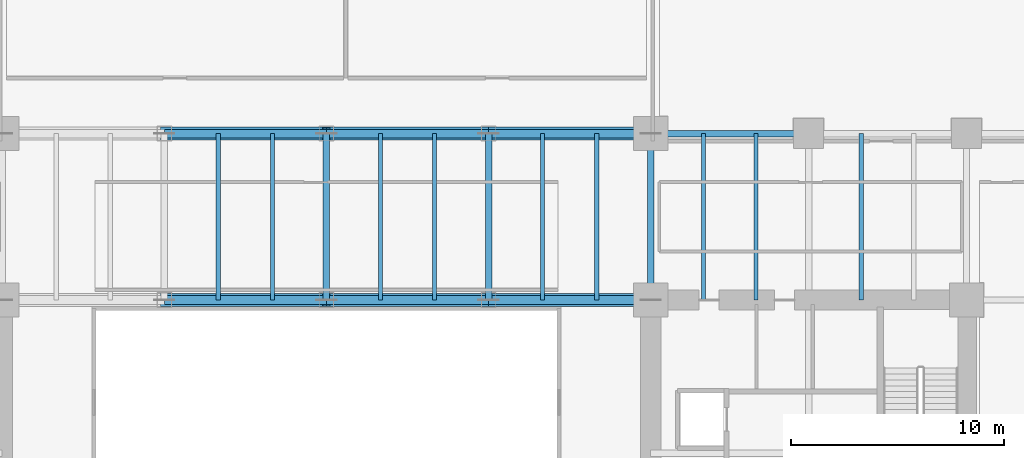
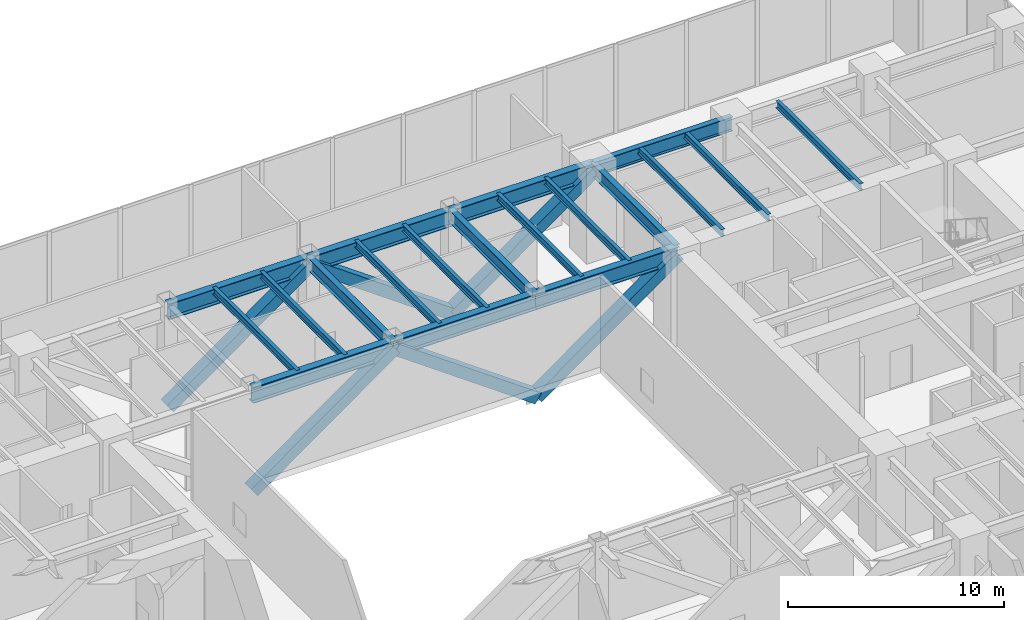
# One storey, part 16 of 35: 19 beams, 6 members.
"""IFC4 building model written with IfcOpenShell, lengths in metres."""

from ifc_helpers import new_model, si_unit, direction, frame, origin, origin_2d, place, context, subcontext, project, spatial, hollow_rectangle, i_section, extrude, source, transform, mapped, material, material_profile, profile_set, type_object, type_shapes, element, save


model = new_model("IFC4")

# Units and contexts
model_context = context("Model", 3, precision=1e-05, world=origin(), true_north=direction((0.0, 1.0)))
body_context = subcontext(model_context, "Body", "Model", "MODEL_VIEW")
ifc_project = project(units=[si_unit("LENGTHUNIT", "METRE"), si_unit("AREAUNIT", "SQUARE_METRE"), si_unit("VOLUMEUNIT", "CUBIC_METRE"), si_unit("PLANEANGLEUNIT", "RADIAN"), si_unit("MASSUNIT", "GRAM", prefix="KILO")], contexts=[model_context])

# Site, building, storey
site_placement = place(None, origin())
site = spatial("IfcSite", under=ifc_project, at=site_placement, CompositionType="ELEMENT")
building_placement = place(site_placement, origin())
building = spatial("IfcBuilding", under=site, at=building_placement, Name="Haelvirn Gate Laboratories", CompositionType="ELEMENT")
storey_placement = place(building_placement, frame((0.0, 0.0, 19.800048828125)))
storey = spatial("IfcBuildingStorey", under=building, at=storey_placement, Name="L05", CompositionType="ELEMENT", Elevation=19.800048828125)

# Beams
ifc_material_1 = material(Name="Steel SM420", Category="steel")
ifc_material_profile_1 = material_profile(ifc_material_1, i_section(OverallWidth=0.300048828125, OverallDepth=0.800048828125, WebThickness=0.013916015625, FlangeThickness=0.02587890625, at=origin_2d()), Name="H-800x300x14x26")
ifc_profile_set_1 = profile_set([ifc_material_profile_1], Name="Steel SM420")
beam_type_1 = type_object("IfcBeamType", Name="BM-G-800", PredefinedType="BEAM", material=ifc_profile_set_1)
shared_shape_1 = source(origin(), body_context, "Body", "SweptSolid", [
    extrude(i_section(OverallWidth=0.300048828125, OverallDepth=0.800048828125, WebThickness=0.013916015625, FlangeThickness=0.02587890625, at=origin_2d()), origin(), (0.0, 0.0, 1.0), 7.39990234375),
])
type_shapes(beam_type_1, [shared_shape_1])
beam_placement = place(storey_placement, frame((52.60009765625, 41.60009765625, 4.679931640625), z_axis=(1.0, 0.0, 0.0), x_axis=(0.0, 1.0, 0.0)))
element("IfcBeam", 1, at=beam_placement, inside=storey, type_object=beam_type_1, Name="L05 Primary Girder Y41.6 (52.6-60.0)", PredefinedType="BEAM", context=body_context, shape_type="MappedRepresentation", body=[
    mapped(shared_shape_1, transform((0.0, 0.0, 0.0), scale=1.0)),
])
ifc_material_2 = material(Name="Steel SM355", Category="steel")
ifc_material_profile_2 = material_profile(ifc_material_2, i_section(OverallWidth=0.199951171875, OverallDepth=0.39990234375, WebThickness=0.008056640625, FlangeThickness=0.012939453125, at=origin_2d()), Name="H-400x200x8x13")
ifc_profile_set_2 = profile_set([ifc_material_profile_2], Name="Steel SM355")
beam_type_2 = type_object("IfcBeamType", Name="BM-J-400", PredefinedType="JOIST", material=ifc_profile_set_2)
shared_shape_2 = source(origin(), body_context, "Body", "SweptSolid", [
    extrude(i_section(OverallWidth=0.199951171875, OverallDepth=0.39990234375, WebThickness=0.008056640625, FlangeThickness=0.012939453125, at=origin_2d()), origin(), (0.0, 0.0, 1.0), 7.800048828125),
])
type_shapes(beam_type_2, [shared_shape_2])
for number, where, z_axis, x_axis, name in (
    (2, (32.330078125, 33.800048828125, 4.8798828125), (0.0, 1.0, 0.0), (-1.0, 0.0, 0.0), "L05 Composite Lab Joist North X32.33"),
    (3, (34.8701171875, 33.800048828125, 4.8798828125), (0.0, 1.0, 0.0), (-1.0, 0.0, 0.0), "L05 Composite Lab Joist North X34.87"),
    (4, (39.929931640625, 33.800048828125, 4.8798828125), (0.0, 1.0, 0.0), (-1.0, 0.0, 0.0), "L05 Composite Lab Joist North X39.93"),
    (5, (42.469970703125, 33.800048828125, 4.8798828125), (0.0, 1.0, 0.0), (-1.0, 0.0, 0.0), "L05 Composite Lab Joist North X42.47"),
    (6, (47.530029296875, 33.800048828125, 4.8798828125), (0.0, 1.0, 0.0), (-1.0, 0.0, 0.0), "L05 Composite Lab Joist North X47.53"),
    (7, (50.070068359375, 33.800048828125, 4.8798828125), (0.0, 1.0, 0.0), (-1.0, 0.0, 0.0), "L05 Composite Lab Joist North X50.07"),
    (8, (55.070068359375, 33.800048828125, 4.8798828125), (0.0, 1.0, 0.0), (-1.0, 0.0, 0.0), "L05 Composite Lab Joist North X55.07"),
    (9, (57.530029296875, 33.800048828125, 4.8798828125), (0.0, 1.0, 0.0), (-1.0, 0.0, 0.0), "L05 Composite Lab Joist North X57.53"),
    (10, (62.469970703125, 33.800048828125, 4.8798828125), (0.0, 1.0, 0.0), (-1.0, 0.0, 0.0), "L05 Composite Lab Joist North X62.47"),
):
    element("IfcBeam", number, at=place(storey_placement, frame(where, z_axis=z_axis, x_axis=x_axis)), inside=storey, type_object=beam_type_2, Name=name, PredefinedType="JOIST", context=body_context, shape_type="MappedRepresentation", body=[
        mapped(shared_shape_2, transform((0.0, 0.0, 0.0), scale=1.0)),
    ])
ifc_material_profile_3 = material_profile(ifc_material_2, i_section(OverallWidth=0.300048828125, OverallDepth=0.699951171875, WebThickness=0.012939453125, FlangeThickness=0.02392578125, at=origin_2d()), Name="H-700x300x13x24")
ifc_profile_set_3 = profile_set([ifc_material_profile_3], Name="Steel SM355")
beam_type_3 = type_object("IfcBeamType", Name="BM-G-700", PredefinedType="BEAM", material=ifc_profile_set_3)
shared_shape_3 = source(origin(), body_context, "Body", "SweptSolid", [
    extrude(i_section(OverallWidth=0.300048828125, OverallDepth=0.699951171875, WebThickness=0.012939453125, FlangeThickness=0.02392578125, at=origin_2d()), origin(), (0.0, 0.0, 1.0), 7.800048828125),
])
type_shapes(beam_type_3, [shared_shape_3])
for number, where, z_axis, x_axis, name in (
    (11, (37.39990234375, 33.800048828125, 4.72998046875), (0.0, 1.0, 0.0), (-1.0, 0.0, 0.0), "L05 Frame Girder X37.4 (33.8-41.6)"),
    (12, (45.0, 33.800048828125, 4.72998046875), (0.0, 1.0, 0.0), (-1.0, 0.0, 0.0), "L05 Frame Girder X45.0 (33.8-41.6)"),
    (13, (52.60009765625, 33.800048828125, 4.72998046875), (0.0, 1.0, 0.0), (-1.0, 0.0, 0.0), "L05 Frame Girder X52.6 (33.8-41.6)"),
):
    element("IfcBeam", number, at=place(storey_placement, frame(where, z_axis=z_axis, x_axis=x_axis)), inside=storey, type_object=beam_type_3, Name=name, PredefinedType="BEAM", context=body_context, shape_type="MappedRepresentation", body=[
        mapped(shared_shape_3, transform((0.0, 0.0, 0.0), scale=1.0)),
    ])
ifc_material_profile_4 = material_profile(ifc_material_1, i_section(OverallWidth=0.39990234375, OverallDepth=0.89990234375, WebThickness=0.01904296875, FlangeThickness=0.031982421875, at=origin_2d()), Name="H-900x400x19x32")
ifc_profile_set_4 = profile_set([ifc_material_profile_4], Name="Steel SM420")
beam_type_4 = type_object("IfcBeamType", Name="BM-TG-900", PredefinedType="BEAM", material=ifc_profile_set_4)
shared_shape_4 = source(origin(), body_context, "Body", "SweptSolid", [
    extrude(i_section(OverallWidth=0.39990234375, OverallDepth=0.89990234375, WebThickness=0.01904296875, FlangeThickness=0.031982421875, at=origin_2d()), origin(), (0.0, 0.0, 1.0), 7.60009765625),
])
for number, where, z_axis, x_axis, name in (
    (14, (37.39990234375, 33.800048828125, 4.6298828125), (1.0, 0.0, 0.0), (0.0, 1.0, 0.0), "L05 Primary Girder Y33.8 (37.4-45.0)"),
    (15, (45.0, 33.800048828125, 4.6298828125), (1.0, 0.0, 0.0), (0.0, 1.0, 0.0), "L05 Primary Girder Y33.8 (45.0-52.6)"),
    (16, (37.39990234375, 41.60009765625, 4.6298828125), (1.0, 0.0, 0.0), (0.0, 1.0, 0.0), "L05 Primary Girder Y41.6 (37.4-45.0)"),
    (17, (45.0, 41.60009765625, 4.6298828125), (1.0, 0.0, 0.0), (0.0, 1.0, 0.0), "L05 Primary Girder Y41.6 (45.0-52.6)"),
):
    element("IfcBeam", number, at=place(storey_placement, frame(where, z_axis=z_axis, x_axis=x_axis)), inside=storey, type_object=beam_type_4, Name=name, PredefinedType="BEAM", context=body_context, shape_type="MappedRepresentation", body=[
        mapped(shared_shape_4, transform((0.0, 0.0, 0.0), scale=1.0)),
    ])
shared_shape_5 = source(origin(), body_context, "Body", "SweptSolid", [
    extrude(i_section(OverallWidth=0.39990234375, OverallDepth=0.89990234375, WebThickness=0.01904296875, FlangeThickness=0.031982421875, at=origin_2d()), origin(), (0.0, 0.0, 1.0), 7.599853515625),
])
type_shapes(beam_type_4, [shared_shape_4, shared_shape_5])
for number, where, z_axis, x_axis, name in (
    (18, (29.800048828125, 33.800048828125, 4.6298828125), (1.0, 0.0, 0.0), (0.0, 1.0, 0.0), "L05 Primary Girder Y33.8 (29.8-37.4)"),
    (19, (29.800048828125, 41.60009765625, 4.6298828125), (1.0, 0.0, 0.0), (0.0, 1.0, 0.0), "L05 Primary Girder Y41.6 (29.8-37.4)"),
):
    element("IfcBeam", number, at=place(storey_placement, frame(where, z_axis=z_axis, x_axis=x_axis)), inside=storey, type_object=beam_type_4, Name=name, PredefinedType="BEAM", context=body_context, shape_type="MappedRepresentation", body=[
        mapped(shared_shape_5, transform((0.0, 0.0, 0.0), scale=1.0)),
    ])

# Members
ifc_material_profile_5 = material_profile(ifc_material_1, hollow_rectangle(XDim=0.60009765625, YDim=0.60009765625, WallThickness=0.028076171875, at=origin_2d()), Name="BOX-600x600x28")
ifc_profile_set_5 = profile_set([ifc_material_profile_5], Name="Steel SM420")
member_type = type_object("IfcMemberType", Name="MEM-TRUSS-DIAG", PredefinedType="BRACE", material=ifc_profile_set_5)
shared_shape_6 = source(origin(), body_context, "Body", "SweptSolid", [
    extrude(hollow_rectangle(XDim=0.60009765625, YDim=0.60009765625, WallThickness=0.028076171875, at=origin_2d()), origin(), (0.0, 0.0, 1.0), 9.340576171875),
])
for number, where, z_axis, x_axis, name in (
    (20, (37.39990234375, 33.800048828125, 4.6298828125), (0.813668121692, 0.0, -0.581329672167), (0.0, 1.0, 0.0), "L05 Portal Transfer Truss Diagonal Y33.8-3"),
    (21, (45.0, 33.800048828125, -0.800048828125), (0.813668121692, 0.0, 0.581329672167), (0.0, 1.0, 0.0), "L05 Portal Transfer Truss Diagonal Y33.8-4"),
    (22, (37.39990234375, 41.60009765625, 4.6298828125), (0.813668121692, 0.0, -0.581329672167), (0.0, 1.0, 0.0), "L05 Portal Transfer Truss Diagonal Y41.6-3"),
    (23, (45.0, 41.60009765625, -0.800048828125), (0.813668121692, 0.0, 0.581329672167), (0.0, 1.0, 0.0), "L05 Portal Transfer Truss Diagonal Y41.6-4"),
):
    element("IfcMember", number, at=place(storey_placement, frame(where, z_axis=z_axis, x_axis=x_axis)), inside=storey, type_object=member_type, Name=name, PredefinedType="BRACE", context=body_context, shape_type="MappedRepresentation", body=[
        mapped(shared_shape_6, transform((0.0, 0.0, 0.0), scale=1.0)),
    ])
shared_shape_7 = source(origin(), body_context, "Body", "SweptSolid", [
    extrude(hollow_rectangle(XDim=0.60009765625, YDim=0.60009765625, WallThickness=0.028076171875, at=origin_2d()), origin(), (0.0, 0.0, 1.0), 9.34033203125),
])
type_shapes(member_type, [shared_shape_6, shared_shape_7])
for number, where, z_axis, x_axis, name in (
    (24, (29.800048828125, 33.800048828125, -0.800048828125), (0.81365928831, 0.0, 0.581342035764), (0.0, 1.0, 0.0), "L05 Portal Transfer Truss Diagonal Y33.8-2"),
    (25, (29.800048828125, 41.60009765625, -0.800048828125), (0.81365928831, 0.0, 0.581342035764), (0.0, 1.0, 0.0), "L05 Portal Transfer Truss Diagonal Y41.6-2"),
):
    element("IfcMember", number, at=place(storey_placement, frame(where, z_axis=z_axis, x_axis=x_axis)), inside=storey, type_object=member_type, Name=name, PredefinedType="BRACE", context=body_context, shape_type="MappedRepresentation", body=[
        mapped(shared_shape_7, transform((0.0, 0.0, 0.0), scale=1.0)),
    ])

save(model, "model.ifc")
